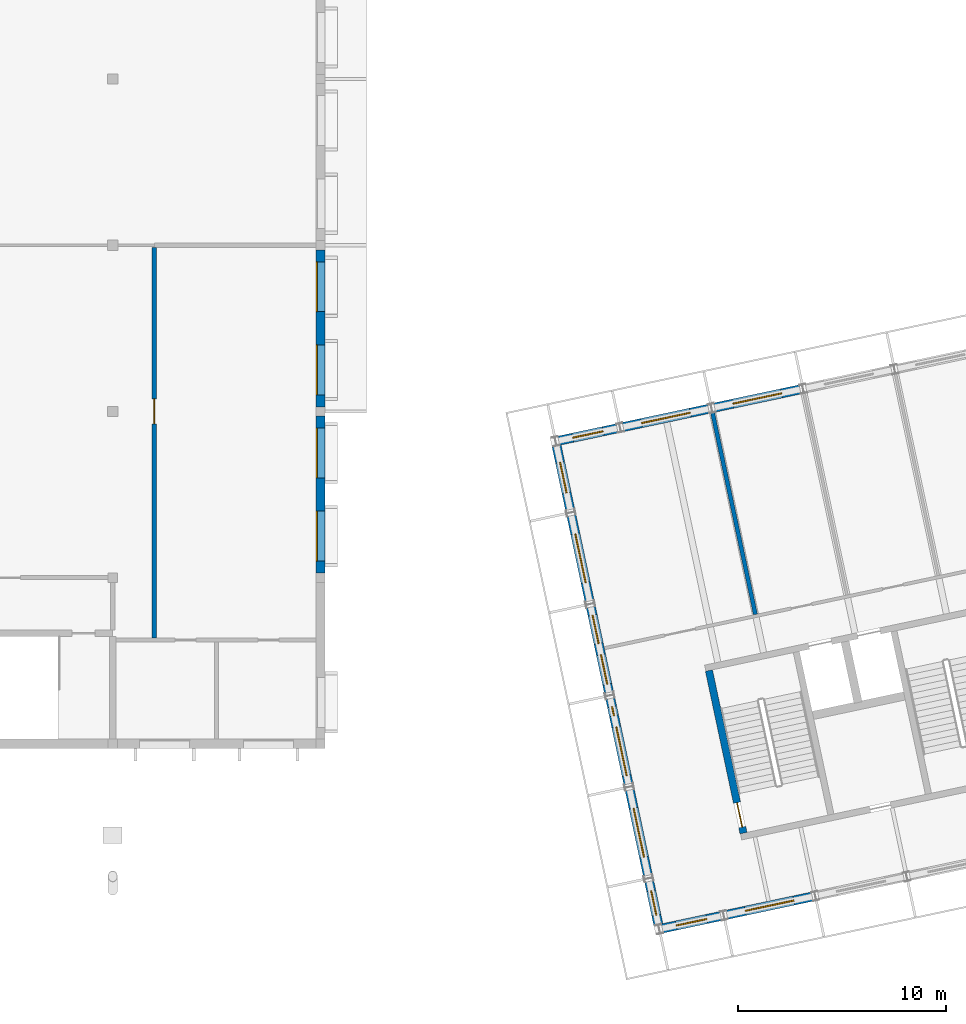
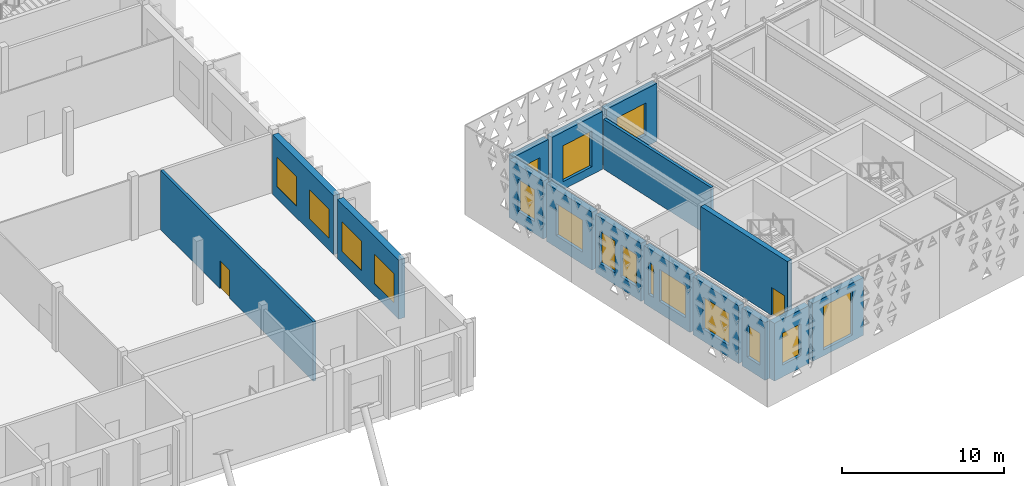
# One storey, part 120 of 182: 17 windows, 16 walls, 2 doors, 19 openings.
"""IFC4 building model written with IfcOpenShell, lengths in metres."""

from ifc_helpers import new_model, si_unit, direction, frame, frame_2d, origin, place, context, subcontext, project, spatial, rectangle, extrude, material, layer, layer_set, type_object, element, fill, save


model = new_model("IFC4")

# Units and contexts
model_context = context("Model", 3, precision=1e-05, world=origin(), true_north=direction((0.0, 1.0)))
body_context = subcontext(model_context, "Body", "Model", "MODEL_VIEW")
ifc_project = project(units=[si_unit("LENGTHUNIT", "METRE"), si_unit("AREAUNIT", "SQUARE_METRE"), si_unit("VOLUMEUNIT", "CUBIC_METRE"), si_unit("PLANEANGLEUNIT", "RADIAN"), si_unit("MASSUNIT", "GRAM", prefix="KILO")], contexts=[model_context])

# Site, building, storey
site_placement = place(None, origin())
site = spatial("IfcSite", under=ifc_project, at=site_placement, CompositionType="ELEMENT")
building_placement = place(site_placement, origin())
building = spatial("IfcBuilding", under=site, at=building_placement, Name="Okhra Congress Centre", CompositionType="ELEMENT")
storey_placement = place(building_placement, frame((0.0, 0.0, 7.199951171875)))
storey = spatial("IfcBuildingStorey", under=building, at=storey_placement, Name="L01", CompositionType="ELEMENT", Elevation=7.199951171875)

# Wall
ifc_material_1 = material(Name="Double gypsum board on steel studs with mineral wool", Category="steel")
ifc_layer_1 = layer(ifc_material_1, 0.199951171875)
ifc_layer_set_1 = layer_set([ifc_layer_1], Name="Acoustic partition 200")
wall_type_1 = type_object("IfcWallType", Name="Acoustic partition 200", PredefinedType="PARTITIONING", material=ifc_layer_set_1)
wall_1_placement = place(storey_placement, frame((64.871337890625, 51.935791015625, 0.0), z_axis=(0.0, 0.0, 1.0), x_axis=(0.20790935802, -0.978148096582, 0.0)))
element("IfcWall", 1, at=wall_1_placement, inside=storey, type_object=wall_type_1, Name="Partition N L01", PredefinedType="PARTITIONING", context=body_context, shape_type="SweptSolid", body=[
    extrude(rectangle(XDim=9.9248046875, YDim=0.199951171875, at=frame_2d((4.96240234375, 0.0))), origin(), (0.0, 0.0, 1.0), 3.75),
])

# Wall, opening, door
ifc_layer_2 = layer(ifc_material_1, 0.199951171875)
ifc_layer_set_2 = layer_set([ifc_layer_2], Name="Acoustic partition 200 EI 15")
wall_type_2 = type_object("IfcWallType", Name="Acoustic partition 200 EI 15", PredefinedType="PARTITIONING", material=ifc_layer_set_2)
wall_2_placement = place(storey_placement, frame((38.0, 41.10009765625, 0.0), z_axis=(0.0, 0.0, 1.0), x_axis=(0.0, 1.0, 0.0)))
wall_2 = element("IfcWall", 2, at=wall_2_placement, inside=storey, type_object=wall_type_2, Name="RS.WALL.L01.62", PredefinedType="PARTITIONING", context=body_context, shape_type="SweptSolid", body=[
    extrude(rectangle(XDim=18.7998046875, YDim=0.199951171875, at=frame_2d((9.39990234375, 0.0))), origin(), (0.0, 0.0, 1.0), 4.449951171875),
])
opening_1_placement = place(wall_2_placement, frame((10.300048828125, 0.0, 0.0)))
opening_1 = element("IfcOpeningElement", 3, at=opening_1_placement, cuts=wall_2, Name="Opening L01-071", PredefinedType="OPENING", context=body_context, shape_type="SweptSolid", body=[
    extrude(rectangle(XDim=1.199951171875, YDim=2.10009765625, at=frame_2d((0.60009765625, 1.050048828125))), frame((0.0, 0.10986328125, 0.0), z_axis=(0.0, -1.0, 0.0), x_axis=(1.0, 0.0, 0.0)), (0.0, 0.0, 1.0), 0.219970703125),
])
ifc_material_2 = material(Name="Timber door leaf in steel frame", Category="steel")
door_type_1 = type_object("IfcDoorType", Name="Single swing door 1200x2100", OperationType="NOTDEFINED", PredefinedType="DOOR", material=ifc_material_2)
door_1_placement = place(opening_1_placement, origin())
door_1 = element("IfcDoor", 4, at=door_1_placement, inside=storey, type_object=door_type_1, Name="Door L01-071", OperationType="SINGLE_SWING_RIGHT", OverallHeight=2.10009765625, OverallWidth=1.199951171875, PredefinedType="DOOR", context=body_context, shape_type="SweptSolid", body=[
    extrude(rectangle(XDim=1.199951171875, YDim=2.10009765625, at=frame_2d((0.60009765625, 1.050048828125))), frame((0.0, 0.02490234375, 0.0), z_axis=(0.0, -1.0, 0.0), x_axis=(1.0, 0.0, 0.0)), (0.0, 0.0, 1.0), 0.050048828125),
])
fill(opening_1, door_1)

# Wall, openings, windows
ifc_material_3 = material(Name="Insulated metal panel on steel stud (mineral wool, vapour barrier)", Category="steel")
ifc_layer_3 = layer(ifc_material_3, 0.449951171875)
ifc_layer_set_3 = layer_set([ifc_layer_3], Name="Insulated wall 450")
wall_type_3 = type_object("IfcWallType", Name="Insulated wall 450", PredefinedType="SOLIDWALL", material=ifc_layer_set_3)
wall_3_placement = place(storey_placement, frame((46.0, 44.22509765625, 0.0), z_axis=(0.0, 0.0, 1.0), x_axis=(0.0, 1.0, 0.0)))
wall_3 = element("IfcWall", 5, at=wall_3_placement, inside=storey, type_object=wall_type_3, Name="RS.WALL.L01.65", PredefinedType="SOLIDWALL", context=body_context, shape_type="SweptSolid", body=[
    extrude(rectangle(XDim=7.5498046875, YDim=0.449951171875, at=frame_2d((3.77490234375, 0.0))), origin(), (0.0, 0.0, 1.0), 4.449951171875),
])
opening_2_placement = place(wall_3_placement, frame((0.574951171875, 0.0, 0.89990234375)))
opening_2 = element("IfcOpeningElement", 6, at=opening_2_placement, cuts=wall_3, Name="Opening WN17", PredefinedType="OPENING", context=body_context, shape_type="SweptSolid", body=[
    extrude(rectangle(XDim=2.39990234375, YDim=2.199951171875, at=frame_2d((1.199951171875, 1.10009765625))), frame((0.0, 0.23486328125, 0.0), z_axis=(0.0, -1.0, 0.0), x_axis=(1.0, 0.0, 0.0)), (0.0, 0.0, 1.0), 0.469970703125),
])
opening_3_placement = place(wall_3_placement, frame((4.574951171875, 0.0, 0.89990234375)))
opening_3 = element("IfcOpeningElement", 7, at=opening_3_placement, cuts=wall_3, Name="Opening WN17", PredefinedType="OPENING", context=body_context, shape_type="SweptSolid", body=[
    extrude(rectangle(XDim=2.39990234375, YDim=2.199951171875, at=frame_2d((1.199951171875, 1.10009765625))), frame((0.0, 0.23486328125, 0.0), z_axis=(0.0, -1.0, 0.0), x_axis=(1.0, 0.0, 0.0)), (0.0, 0.0, 1.0), 0.469970703125),
])
ifc_material_4 = material(Name="Thermally broken aluminium frame, triple glazing", Category="aluminium")
window_type_1 = type_object("IfcWindowType", Name="Tilt-and-turn window 2400x2200", PartitioningType="SINGLE_PANEL", PredefinedType="WINDOW", material=ifc_material_4)
window_1_placement = place(opening_2_placement, origin())
window_1 = element("IfcWindow", 8, at=window_1_placement, inside=storey, type_object=window_type_1, Name="RS.WIN.L01.18", OverallHeight=2.199951171875, OverallWidth=2.39990234375, PartitioningType="SINGLE_PANEL", PredefinedType="WINDOW", context=body_context, shape_type="SweptSolid", body=[
    extrude(rectangle(XDim=2.39990234375, YDim=2.199951171875, at=frame_2d((1.199951171875, 1.10009765625))), frame((0.0, 0.215087890625, 0.0), z_axis=(0.0, -1.0, 0.0), x_axis=(1.0, 0.0, 0.0)), (0.0, 0.0, 1.0), 0.06005859375),
])
fill(opening_2, window_1)
window_2_placement = place(opening_3_placement, origin())
window_2 = element("IfcWindow", 9, at=window_2_placement, inside=storey, type_object=window_type_1, Name="RS.WIN.L01.19", OverallHeight=2.199951171875, OverallWidth=2.39990234375, PartitioningType="SINGLE_PANEL", PredefinedType="WINDOW", context=body_context, shape_type="SweptSolid", body=[
    extrude(rectangle(XDim=2.39990234375, YDim=2.199951171875, at=frame_2d((1.199951171875, 1.10009765625))), frame((0.0, 0.215087890625, 0.0), z_axis=(0.0, -1.0, 0.0), x_axis=(1.0, 0.0, 0.0)), (0.0, 0.0, 1.0), 0.06005859375),
])
fill(opening_3, window_2)

wall_4_placement = place(storey_placement, frame((46.0, 52.22509765625, 0.0), z_axis=(0.0, 0.0, 1.0), x_axis=(0.0, 1.0, 0.0)))
wall_4 = element("IfcWall", 10, at=wall_4_placement, inside=storey, type_object=wall_type_3, Name="RS.WALL.L01.66", PredefinedType="SOLIDWALL", context=body_context, shape_type="SweptSolid", body=[
    extrude(rectangle(XDim=7.5498046875, YDim=0.449951171875, at=frame_2d((3.77490234375, 0.0))), origin(), (0.0, 0.0, 1.0), 4.449951171875),
])
opening_4_placement = place(wall_4_placement, frame((0.574951171875, 0.0, 0.89990234375)))
opening_4 = element("IfcOpeningElement", 11, at=opening_4_placement, cuts=wall_4, Name="Opening WN17", PredefinedType="OPENING", context=body_context, shape_type="SweptSolid", body=[
    extrude(rectangle(XDim=2.39990234375, YDim=2.199951171875, at=frame_2d((1.199951171875, 1.10009765625))), frame((0.0, 0.23486328125, 0.0), z_axis=(0.0, -1.0, 0.0), x_axis=(1.0, 0.0, 0.0)), (0.0, 0.0, 1.0), 0.469970703125),
])
opening_5_placement = place(wall_4_placement, frame((4.574951171875, 0.0, 0.89990234375)))
opening_5 = element("IfcOpeningElement", 12, at=opening_5_placement, cuts=wall_4, Name="Opening WN17", PredefinedType="OPENING", context=body_context, shape_type="SweptSolid", body=[
    extrude(rectangle(XDim=2.39990234375, YDim=2.199951171875, at=frame_2d((1.199951171875, 1.10009765625))), frame((0.0, 0.23486328125, 0.0), z_axis=(0.0, -1.0, 0.0), x_axis=(1.0, 0.0, 0.0)), (0.0, 0.0, 1.0), 0.469970703125),
])
window_3_placement = place(opening_4_placement, origin())
window_3 = element("IfcWindow", 13, at=window_3_placement, inside=storey, type_object=window_type_1, Name="RS.WIN.L01.20", OverallHeight=2.199951171875, OverallWidth=2.39990234375, PartitioningType="SINGLE_PANEL", PredefinedType="WINDOW", context=body_context, shape_type="SweptSolid", body=[
    extrude(rectangle(XDim=2.39990234375, YDim=2.199951171875, at=frame_2d((1.199951171875, 1.10009765625))), frame((0.0, 0.215087890625, 0.0), z_axis=(0.0, -1.0, 0.0), x_axis=(1.0, 0.0, 0.0)), (0.0, 0.0, 1.0), 0.06005859375),
])
fill(opening_4, window_3)
window_4_placement = place(opening_5_placement, origin())
window_4 = element("IfcWindow", 14, at=window_4_placement, inside=storey, type_object=window_type_1, Name="RS.WIN.L01.21", OverallHeight=2.199951171875, OverallWidth=2.39990234375, PartitioningType="SINGLE_PANEL", PredefinedType="WINDOW", context=body_context, shape_type="SweptSolid", body=[
    extrude(rectangle(XDim=2.39990234375, YDim=2.199951171875, at=frame_2d((1.199951171875, 1.10009765625))), frame((0.0, 0.215087890625, 0.0), z_axis=(0.0, -1.0, 0.0), x_axis=(1.0, 0.0, 0.0)), (0.0, 0.0, 1.0), 0.06005859375),
])
fill(opening_5, window_4)

# Wall, opening, window
wall_5_placement = place(storey_placement, frame((62.453857421875, 27.115966796875, 0.0), z_axis=(0.0, 0.0, 1.0), x_axis=(0.978151512004, 0.207893288886, 0.0)))
wall_5 = element("IfcWall", 15, at=wall_5_placement, inside=storey, type_object=wall_type_3, Name="External wall S1 L01", PredefinedType="SOLIDWALL", context=body_context, shape_type="SweptSolid", body=[
    extrude(rectangle(XDim=2.874755859375, YDim=0.449951171875, at=frame_2d((1.4375, 0.0))), origin(), (0.0, 0.0, 1.0), 4.35009765625),
])
opening_6_placement = place(wall_5_placement, frame((0.6875, 0.0, 0.89990234375)))
opening_6 = element("IfcOpeningElement", 16, at=opening_6_placement, cuts=wall_5, Name="Opening WN20", PredefinedType="OPENING", context=body_context, shape_type="SweptSolid", body=[
    extrude(rectangle(XDim=1.5, YDim=2.39990234375, at=frame_2d((0.75, 1.199951171875))), frame((0.0, 0.23486328125, 0.0), z_axis=(0.0, -1.0, 0.0), x_axis=(1.0, 0.0, 0.0)), (0.0, 0.0, 1.0), 0.469970703125),
])
window_type_2 = type_object("IfcWindowType", Name="Fixed window 1500x2400", PartitioningType="SINGLE_PANEL", PredefinedType="WINDOW", material=ifc_material_4)
window_5_placement = place(opening_6_placement, origin())
window_5 = element("IfcWindow", 17, at=window_5_placement, inside=storey, type_object=window_type_2, Name="BX.WIN.L01.1", OverallHeight=2.39990234375, OverallWidth=1.5, PartitioningType="SINGLE_PANEL", PredefinedType="WINDOW", context=body_context, shape_type="SweptSolid", body=[
    extrude(rectangle(XDim=1.5, YDim=2.39990234375, at=frame_2d((0.75, 1.199951171875))), frame((0.0, 0.030029296875, 0.0), z_axis=(0.0, -1.0, 0.0), x_axis=(1.0, 0.0, 0.0)), (0.0, 0.0, 1.0), 0.06005859375),
])
fill(opening_6, window_5)

wall_6_placement = place(storey_placement, frame((65.559326171875, 27.776123046875, 0.0), z_axis=(0.0, 0.0, 1.0), x_axis=(0.978155748334, 0.207873355681, 0.0)))
wall_6 = element("IfcWall", 18, at=wall_6_placement, inside=storey, type_object=wall_type_3, Name="External wall S2 L01", PredefinedType="SOLIDWALL", context=body_context, shape_type="SweptSolid", body=[
    extrude(rectangle(XDim=4.199951171875, YDim=0.449951171875, at=frame_2d((2.10009765625, 0.0))), origin(), (0.0, 0.0, 1.0), 4.35009765625),
])
opening_7_placement = place(wall_6_placement, frame((0.89990234375, 0.0, 0.449951171875)))
opening_7 = element("IfcOpeningElement", 19, at=opening_7_placement, cuts=wall_6, Name="Opening WN21", PredefinedType="OPENING", context=body_context, shape_type="SweptSolid", body=[
    extrude(rectangle(XDim=2.39990234375, YDim=3.300048828125, at=frame_2d((1.199951171875, 1.64990234375))), frame((0.0, 0.23486328125, 0.0), z_axis=(0.0, -1.0, 0.0), x_axis=(1.0, 0.0, 0.0)), (0.0, 0.0, 1.0), 0.469970703125),
])
window_type_3 = type_object("IfcWindowType", Name="Two-light window 2400x3300", PartitioningType="DOUBLE_PANEL_VERTICAL", PredefinedType="WINDOW", material=ifc_material_4)
window_6_placement = place(opening_7_placement, origin())
window_6 = element("IfcWindow", 20, at=window_6_placement, inside=storey, type_object=window_type_3, Name="BX.WIN.L01.2", OverallHeight=3.300048828125, OverallWidth=2.39990234375, PartitioningType="DOUBLE_PANEL_VERTICAL", PredefinedType="WINDOW", context=body_context, shape_type="SweptSolid", body=[
    extrude(rectangle(XDim=2.39990234375, YDim=3.300048828125, at=frame_2d((1.199951171875, 1.64990234375))), frame((0.0, 0.030029296875, 0.0), z_axis=(0.0, -1.0, 0.0), x_axis=(1.0, 0.0, 0.0)), (0.0, 0.0, 1.0), 0.06005859375),
])
fill(opening_7, window_6)

wall_7_placement = place(storey_placement, frame((57.4638671875, 50.591552734375, 0.0), z_axis=(0.0, 0.0, 1.0), x_axis=(0.978155181918, 0.207876020951, 0.0)))
wall_7 = element("IfcWall", 21, at=wall_7_placement, inside=storey, type_object=wall_type_3, Name="External wall N1 L01", PredefinedType="SOLIDWALL", context=body_context, shape_type="SweptSolid", body=[
    extrude(rectangle(XDim=2.875, YDim=0.449951171875, at=frame_2d((1.4375, 0.0))), origin(), (0.0, 0.0, 1.0), 4.35009765625),
])
opening_8_placement = place(wall_7_placement, frame((0.6875, 0.0, 0.89990234375)))
opening_8 = element("IfcOpeningElement", 22, at=opening_8_placement, cuts=wall_7, Name="Opening WN20", PredefinedType="OPENING", context=body_context, shape_type="SweptSolid", body=[
    extrude(rectangle(XDim=1.5, YDim=2.39990234375, at=frame_2d((0.75, 1.199951171875))), frame((0.0, 0.23486328125, 0.0), z_axis=(0.0, -1.0, 0.0), x_axis=(1.0, 0.0, 0.0)), (0.0, 0.0, 1.0), 0.469970703125),
])
window_7_placement = place(opening_8_placement, origin())
window_7 = element("IfcWindow", 23, at=window_7_placement, inside=storey, type_object=window_type_2, Name="BX.WIN.L01.37", OverallHeight=2.39990234375, OverallWidth=1.5, PartitioningType="SINGLE_PANEL", PredefinedType="WINDOW", context=body_context, shape_type="SweptSolid", body=[
    extrude(rectangle(XDim=1.5, YDim=2.39990234375, at=frame_2d((0.75, 1.199951171875))), frame((0.0, 0.030029296875, 0.0), z_axis=(0.0, -1.0, 0.0), x_axis=(1.0, 0.0, 0.0)), (0.0, 0.0, 1.0), 0.06005859375),
])
fill(opening_8, window_7)

wall_8_placement = place(storey_placement, frame((60.569580078125, 51.25146484375, 0.0), z_axis=(0.0, 0.0, 1.0), x_axis=(0.978143927149, 0.207928972925, 0.0)))
wall_8 = element("IfcWall", 24, at=wall_8_placement, inside=storey, type_object=wall_type_3, Name="External wall N2 L01", PredefinedType="SOLIDWALL", context=body_context, shape_type="SweptSolid", body=[
    extrude(rectangle(XDim=4.199951171875, YDim=0.449951171875, at=frame_2d((2.10009765625, 0.0))), origin(), (0.0, 0.0, 1.0), 4.35009765625),
])
opening_9_placement = place(wall_8_placement, frame((0.89990234375, 0.0, 0.60009765625)))
opening_9 = element("IfcOpeningElement", 25, at=opening_9_placement, cuts=wall_8, Name="Opening WN23", PredefinedType="OPENING", context=body_context, shape_type="SweptSolid", body=[
    extrude(rectangle(XDim=2.39990234375, YDim=2.699951171875, at=frame_2d((1.199951171875, 1.35009765625))), frame((0.0, 0.23486328125, 0.0), z_axis=(0.0, -1.0, 0.0), x_axis=(1.0, 0.0, 0.0)), (0.0, 0.0, 1.0), 0.469970703125),
])
window_type_4 = type_object("IfcWindowType", Name="Casement window 2400x2700", PartitioningType="SINGLE_PANEL", PredefinedType="WINDOW", material=ifc_material_4)
window_8_placement = place(opening_9_placement, origin())
window_8 = element("IfcWindow", 26, at=window_8_placement, inside=storey, type_object=window_type_4, Name="BX.WIN.L01.38", OverallHeight=2.699951171875, OverallWidth=2.39990234375, PartitioningType="SINGLE_PANEL", PredefinedType="WINDOW", context=body_context, shape_type="SweptSolid", body=[
    extrude(rectangle(XDim=2.39990234375, YDim=2.699951171875, at=frame_2d((1.199951171875, 1.35009765625))), frame((0.0, 0.030029296875, 0.0), z_axis=(0.0, -1.0, 0.0), x_axis=(1.0, 0.0, 0.0)), (0.0, 0.0, 1.0), 0.06005859375),
])
fill(opening_9, window_8)

wall_9_placement = place(storey_placement, frame((64.97119140625, 52.187255859375, 0.0), z_axis=(0.0, 0.0, 1.0), x_axis=(0.978155748334, 0.207873355681, 0.0)))
wall_9 = element("IfcWall", 27, at=wall_9_placement, inside=storey, type_object=wall_type_3, Name="External wall N3 L01", PredefinedType="SOLIDWALL", context=body_context, shape_type="SweptSolid", body=[
    extrude(rectangle(XDim=4.199951171875, YDim=0.449951171875, at=frame_2d((2.10009765625, 0.0))), origin(), (0.0, 0.0, 1.0), 4.35009765625),
])
opening_10_placement = place(wall_9_placement, frame((0.89990234375, 0.0, 0.89990234375)))
opening_10 = element("IfcOpeningElement", 28, at=opening_10_placement, cuts=wall_9, Name="Opening WN22", PredefinedType="OPENING", context=body_context, shape_type="SweptSolid", body=[
    extrude(rectangle(XDim=2.39990234375, YDim=2.39990234375, at=frame_2d((1.199951171875, 1.199951171875))), frame((0.0, 0.23486328125, 0.0), z_axis=(0.0, -1.0, 0.0), x_axis=(1.0, 0.0, 0.0)), (0.0, 0.0, 1.0), 0.469970703125),
])
window_type_5 = type_object("IfcWindowType", Name="Fixed window 2400x2400", PartitioningType="SINGLE_PANEL", PredefinedType="WINDOW", material=ifc_material_4)
window_9_placement = place(opening_10_placement, origin())
window_9 = element("IfcWindow", 29, at=window_9_placement, inside=storey, type_object=window_type_5, Name="BX.WIN.L01.39", OverallHeight=2.39990234375, OverallWidth=2.39990234375, PartitioningType="SINGLE_PANEL", PredefinedType="WINDOW", context=body_context, shape_type="SweptSolid", body=[
    extrude(rectangle(XDim=2.39990234375, YDim=2.39990234375, at=frame_2d((1.199951171875, 1.199951171875))), frame((0.0, 0.030029296875, 0.0), z_axis=(0.0, -1.0, 0.0), x_axis=(1.0, 0.0, 0.0)), (0.0, 0.0, 1.0), 0.06005859375),
])
fill(opening_10, window_9)

wall_10_placement = place(storey_placement, frame((62.26123046875, 27.2998046875, 0.0), z_axis=(0.0, 0.0, 1.0), x_axis=(-0.207834022607, 0.978164106399, 0.0)))
wall_10 = element("IfcWall", 30, at=wall_10_placement, inside=storey, type_object=wall_type_3, Name="External wall W1 L01", PredefinedType="SOLIDWALL", context=body_context, shape_type="SweptSolid", body=[
    extrude(rectangle(XDim=2.125, YDim=0.449951171875, at=frame_2d((1.0625, 0.0))), origin(), (0.0, 0.0, 1.0), 4.35009765625),
])
opening_11_placement = place(wall_10_placement, frame((0.46240234375, 0.0, 0.89990234375)))
opening_11 = element("IfcOpeningElement", 31, at=opening_11_placement, cuts=wall_10, Name="Opening WN25", PredefinedType="OPENING", context=body_context, shape_type="SweptSolid", body=[
    extrude(rectangle(XDim=1.199951171875, YDim=2.39990234375, at=frame_2d((0.60009765625, 1.199951171875))), frame((0.0, 0.23486328125, 0.0), z_axis=(0.0, -1.0, 0.0), x_axis=(1.0, 0.0, 0.0)), (0.0, 0.0, 1.0), 0.469970703125),
])
window_type_6 = type_object("IfcWindowType", Name="Fixed window 1200x2400", PartitioningType="SINGLE_PANEL", PredefinedType="WINDOW", material=ifc_material_4)
window_10_placement = place(opening_11_placement, origin())
window_10 = element("IfcWindow", 32, at=window_10_placement, inside=storey, type_object=window_type_6, Name="BX.WIN.L01.64", OverallHeight=2.39990234375, OverallWidth=1.199951171875, PartitioningType="SINGLE_PANEL", PredefinedType="WINDOW", context=body_context, shape_type="SweptSolid", body=[
    extrude(rectangle(XDim=1.199951171875, YDim=2.39990234375, at=frame_2d((0.60009765625, 1.199951171875))), frame((0.0, 0.030029296875, 0.0), z_axis=(0.0, -1.0, 0.0), x_axis=(1.0, 0.0, 0.0)), (0.0, 0.0, 1.0), 0.06005859375),
])
fill(opening_11, window_10)

wall_11_placement = place(storey_placement, frame((61.757080078125, 29.671875, 0.0), z_axis=(0.0, 0.0, 1.0), x_axis=(-0.207928972925, 0.978143927149, 0.0)))
wall_11 = element("IfcWall", 33, at=wall_11_placement, inside=storey, type_object=wall_type_3, Name="External wall W2 L01", PredefinedType="SOLIDWALL", context=body_context, shape_type="SweptSolid", body=[
    extrude(rectangle(XDim=4.199951171875, YDim=0.449951171875, at=frame_2d((2.10009765625, 0.0))), origin(), (0.0, 0.0, 1.0), 4.35009765625),
])
opening_12_placement = place(wall_11_placement, frame((0.89990234375, 0.0, 0.89990234375)))
opening_12 = element("IfcOpeningElement", 34, at=opening_12_placement, cuts=wall_11, Name="Opening WN22", PredefinedType="OPENING", context=body_context, shape_type="SweptSolid", body=[
    extrude(rectangle(XDim=2.39990234375, YDim=2.39990234375, at=frame_2d((1.199951171875, 1.199951171875))), frame((0.0, 0.23486328125, 0.0), z_axis=(0.0, -1.0, 0.0), x_axis=(1.0, 0.0, 0.0)), (0.0, 0.0, 1.0), 0.469970703125),
])
window_11_placement = place(opening_12_placement, origin())
window_11 = element("IfcWindow", 35, at=window_11_placement, inside=storey, type_object=window_type_5, Name="BX.WIN.L01.65", OverallHeight=2.39990234375, OverallWidth=2.39990234375, PartitioningType="SINGLE_PANEL", PredefinedType="WINDOW", context=body_context, shape_type="SweptSolid", body=[
    extrude(rectangle(XDim=2.39990234375, YDim=2.39990234375, at=frame_2d((1.199951171875, 1.199951171875))), frame((0.0, 0.030029296875, 0.0), z_axis=(0.0, -1.0, 0.0), x_axis=(1.0, 0.0, 0.0)), (0.0, 0.0, 1.0), 0.06005859375),
])
fill(opening_12, window_11)

# Wall, openings, windows
wall_12_placement = place(storey_placement, frame((60.821533203125, 34.073486328125, 0.0), z_axis=(0.0, 0.0, 1.0), x_axis=(-0.207917150959, 0.978146440129, 0.0)))
wall_12 = element("IfcWall", 36, at=wall_12_placement, inside=storey, type_object=wall_type_3, Name="External wall W3 L01", PredefinedType="SOLIDWALL", context=body_context, shape_type="SweptSolid", body=[
    extrude(rectangle(XDim=4.2001953125, YDim=0.449951171875, at=frame_2d((2.10009765625, 0.0))), origin(), (0.0, 0.0, 1.0), 4.35009765625),
])
opening_13_placement = place(wall_12_placement, frame((0.39990234375, 0.0, 0.89990234375)))
opening_13 = element("IfcOpeningElement", 37, at=opening_13_placement, cuts=wall_12, Name="Opening WN26", PredefinedType="OPENING", context=body_context, shape_type="SweptSolid", body=[
    extrude(rectangle(XDim=2.405029296875, YDim=2.39990234375, at=frame_2d((1.20263671875, 1.199951171875))), frame((0.0, 0.23486328125, 0.0), z_axis=(0.0, -1.0, 0.0), x_axis=(1.0, 0.0, 0.0)), (0.0, 0.0, 1.0), 0.469970703125),
])
opening_14_placement = place(wall_12_placement, frame((3.35498046875, 0.0, 0.89990234375)))
opening_14 = element("IfcOpeningElement", 38, at=opening_14_placement, cuts=wall_12, Name="Opening WN27", PredefinedType="OPENING", context=body_context, shape_type="SweptSolid", body=[
    extrude(rectangle(XDim=0.445068359375, YDim=2.39990234375, at=frame_2d((0.22265625, 1.199951171875))), frame((0.0, 0.23486328125, 0.0), z_axis=(0.0, -1.0, 0.0), x_axis=(1.0, 0.0, 0.0)), (0.0, 0.0, 1.0), 0.469970703125),
])
window_type_7 = type_object("IfcWindowType", Name="Fixed window 2405x2400", PartitioningType="SINGLE_PANEL", PredefinedType="WINDOW", material=ifc_material_4)
window_12_placement = place(opening_13_placement, origin())
window_12 = element("IfcWindow", 39, at=window_12_placement, inside=storey, type_object=window_type_7, Name="BX.WIN.L01.66", OverallHeight=2.39990234375, OverallWidth=2.405029296875, PartitioningType="SINGLE_PANEL", PredefinedType="WINDOW", context=body_context, shape_type="SweptSolid", body=[
    extrude(rectangle(XDim=2.405029296875, YDim=2.39990234375, at=frame_2d((1.20263671875, 1.199951171875))), frame((0.0, 0.030029296875, 0.0), z_axis=(0.0, -1.0, 0.0), x_axis=(1.0, 0.0, 0.0)), (0.0, 0.0, 1.0), 0.06005859375),
])
fill(opening_13, window_12)
window_type_8 = type_object("IfcWindowType", Name="Fixed window 445x2400", PartitioningType="SINGLE_PANEL", PredefinedType="WINDOW", material=ifc_material_4)
window_13_placement = place(opening_14_placement, origin())
window_13 = element("IfcWindow", 40, at=window_13_placement, inside=storey, type_object=window_type_8, Name="BX.WIN.L01.67", OverallHeight=2.39990234375, OverallWidth=0.445068359375, PartitioningType="SINGLE_PANEL", PredefinedType="WINDOW", context=body_context, shape_type="SweptSolid", body=[
    extrude(rectangle(XDim=0.445068359375, YDim=2.39990234375, at=frame_2d((0.22265625, 1.199951171875))), frame((0.0, 0.030029296875, 0.0), z_axis=(0.0, -1.0, 0.0), x_axis=(1.0, 0.0, 0.0)), (0.0, 0.0, 1.0), 0.06005859375),
])
fill(opening_14, window_13)

wall_13_placement = place(storey_placement, frame((59.885986328125, 38.475341796875, 0.0), z_axis=(0.0, 0.0, 1.0), x_axis=(-0.207928972925, 0.978143927149, 0.0)))
wall_13 = element("IfcWall", 41, at=wall_13_placement, inside=storey, type_object=wall_type_3, Name="External wall W4 L01", PredefinedType="SOLIDWALL", context=body_context, shape_type="SweptSolid", body=[
    extrude(rectangle(XDim=4.199951171875, YDim=0.449951171875, at=frame_2d((2.10009765625, 0.0))), origin(), (0.0, 0.0, 1.0), 4.35009765625),
])
opening_15_placement = place(wall_13_placement, frame((0.39990234375, 0.0, 0.89990234375)))
opening_15 = element("IfcOpeningElement", 42, at=opening_15_placement, cuts=wall_13, Name="Opening WN28", PredefinedType="OPENING", context=body_context, shape_type="SweptSolid", body=[
    extrude(rectangle(XDim=1.455078125, YDim=2.39990234375, at=frame_2d((0.7275390625, 1.199951171875))), frame((0.0, 0.23486328125, 0.0), z_axis=(0.0, -1.0, 0.0), x_axis=(1.0, 0.0, 0.0)), (0.0, 0.0, 1.0), 0.469970703125),
])
opening_16_placement = place(wall_13_placement, frame((2.405029296875, 0.0, 0.89990234375)))
opening_16 = element("IfcOpeningElement", 43, at=opening_16_placement, cuts=wall_13, Name="Opening WN29", PredefinedType="OPENING", context=body_context, shape_type="SweptSolid", body=[
    extrude(rectangle(XDim=1.39501953125, YDim=2.39990234375, at=frame_2d((0.697509765625, 1.199951171875))), frame((0.0, 0.23486328125, 0.0), z_axis=(0.0, -1.0, 0.0), x_axis=(1.0, 0.0, 0.0)), (0.0, 0.0, 1.0), 0.469970703125),
])
window_type_9 = type_object("IfcWindowType", Name="Fixed window 1395x2400", PartitioningType="SINGLE_PANEL", PredefinedType="WINDOW", material=ifc_material_4)
window_14_placement = place(opening_16_placement, origin())
window_14 = element("IfcWindow", 44, at=window_14_placement, inside=storey, type_object=window_type_9, Name="BX.WIN.L01.69", OverallHeight=2.39990234375, OverallWidth=1.39501953125, PartitioningType="SINGLE_PANEL", PredefinedType="WINDOW", context=body_context, shape_type="SweptSolid", body=[
    extrude(rectangle(XDim=1.39501953125, YDim=2.39990234375, at=frame_2d((0.697509765625, 1.199951171875))), frame((0.0, 0.030029296875, 0.0), z_axis=(0.0, -1.0, 0.0), x_axis=(1.0, 0.0, 0.0)), (0.0, 0.0, 1.0), 0.06005859375),
])
fill(opening_16, window_14)
window_type_10 = type_object("IfcWindowType", Name="Fixed window 1455x2400", PartitioningType="SINGLE_PANEL", PredefinedType="WINDOW", material=ifc_material_4)
window_15_placement = place(opening_15_placement, origin())
window_15 = element("IfcWindow", 45, at=window_15_placement, inside=storey, type_object=window_type_10, Name="BX.WIN.L01.68", OverallHeight=2.39990234375, OverallWidth=1.455078125, PartitioningType="SINGLE_PANEL", PredefinedType="WINDOW", context=body_context, shape_type="SweptSolid", body=[
    extrude(rectangle(XDim=1.455078125, YDim=2.39990234375, at=frame_2d((0.7275390625, 1.199951171875))), frame((0.0, 0.030029296875, 0.0), z_axis=(0.0, -1.0, 0.0), x_axis=(1.0, 0.0, 0.0)), (0.0, 0.0, 1.0), 0.06005859375),
])
fill(opening_15, window_15)

# Wall, opening, window
wall_14_placement = place(storey_placement, frame((58.9501953125, 42.876953125, 0.0), z_axis=(0.0, 0.0, 1.0), x_axis=(-0.207873355681, 0.978155748334, 0.0)))
wall_14 = element("IfcWall", 46, at=wall_14_placement, inside=storey, type_object=wall_type_3, Name="External wall W5 L01", PredefinedType="SOLIDWALL", context=body_context, shape_type="SweptSolid", body=[
    extrude(rectangle(XDim=4.199951171875, YDim=0.449951171875, at=frame_2d((2.10009765625, 0.0))), origin(), (0.0, 0.0, 1.0), 4.35009765625),
])
opening_17_placement = place(wall_14_placement, frame((0.89990234375, 0.0, 0.89990234375)))
opening_17 = element("IfcOpeningElement", 47, at=opening_17_placement, cuts=wall_14, Name="Opening WN22", PredefinedType="OPENING", context=body_context, shape_type="SweptSolid", body=[
    extrude(rectangle(XDim=2.39990234375, YDim=2.39990234375, at=frame_2d((1.199951171875, 1.199951171875))), frame((0.0, 0.23486328125, 0.0), z_axis=(0.0, -1.0, 0.0), x_axis=(1.0, 0.0, 0.0)), (0.0, 0.0, 1.0), 0.469970703125),
])
window_16_placement = place(opening_17_placement, origin())
window_16 = element("IfcWindow", 48, at=window_16_placement, inside=storey, type_object=window_type_5, Name="BX.WIN.L01.70", OverallHeight=2.39990234375, OverallWidth=2.39990234375, PartitioningType="SINGLE_PANEL", PredefinedType="WINDOW", context=body_context, shape_type="SweptSolid", body=[
    extrude(rectangle(XDim=2.39990234375, YDim=2.39990234375, at=frame_2d((1.199951171875, 1.199951171875))), frame((0.0, 0.030029296875, 0.0), z_axis=(0.0, -1.0, 0.0), x_axis=(1.0, 0.0, 0.0)), (0.0, 0.0, 1.0), 0.06005859375),
])
fill(opening_17, window_16)

wall_15_placement = place(storey_placement, frame((58.0146484375, 47.278564453125, 0.0), z_axis=(0.0, 0.0, 1.0), x_axis=(-0.207933268122, 0.978143014087, 0.0)))
wall_15 = element("IfcWall", 49, at=wall_15_placement, inside=storey, type_object=wall_type_3, Name="External wall W6 L01", PredefinedType="SOLIDWALL", context=body_context, shape_type="SweptSolid", body=[
    extrude(rectangle(XDim=3.135009765625, YDim=0.449951171875, at=frame_2d((1.5673828125, 0.0))), origin(), (0.0, 0.0, 1.0), 4.35009765625),
])
opening_18_placement = place(wall_15_placement, frame((0.8173828125, 0.0, 0.89990234375)))
opening_18 = element("IfcOpeningElement", 50, at=opening_18_placement, cuts=wall_15, Name="Opening WN20", PredefinedType="OPENING", context=body_context, shape_type="SweptSolid", body=[
    extrude(rectangle(XDim=1.5, YDim=2.39990234375, at=frame_2d((0.75, 1.199951171875))), frame((0.0, 0.23486328125, 0.0), z_axis=(0.0, -1.0, 0.0), x_axis=(1.0, 0.0, 0.0)), (0.0, 0.0, 1.0), 0.469970703125),
])
window_17_placement = place(opening_18_placement, origin())
window_17 = element("IfcWindow", 51, at=window_17_placement, inside=storey, type_object=window_type_2, Name="BX.WIN.L01.71", OverallHeight=2.39990234375, OverallWidth=1.5, PartitioningType="SINGLE_PANEL", PredefinedType="WINDOW", context=body_context, shape_type="SweptSolid", body=[
    extrude(rectangle(XDim=1.5, YDim=2.39990234375, at=frame_2d((0.75, 1.199951171875))), frame((0.0, 0.030029296875, 0.0), z_axis=(0.0, -1.0, 0.0), x_axis=(1.0, 0.0, 0.0)), (0.0, 0.0, 1.0), 0.06005859375),
])
fill(opening_18, window_17)

# Wall, opening, door
ifc_material_5 = material(Name="Concrete C30/37", Category="concrete")
ifc_layer_4 = layer(ifc_material_5, 0.35009765625)
ifc_layer_set_4 = layer_set([ifc_layer_4], Name="RC wall 350 REI 120 C30/37")
wall_type_4 = type_object("IfcWallType", Name="RC wall 350 REI 120 C30/37", PredefinedType="SOLIDWALL", material=ifc_layer_set_4)
wall_16_placement = place(storey_placement, frame((66.3603515625, 31.703369140625, 0.0), z_axis=(0.0, 0.0, 1.0), x_axis=(-0.207915693476, 0.978146749934, 0.0)))
wall_16 = element("IfcWall", 52, at=wall_16_placement, inside=storey, type_object=wall_type_4, Name="BX.WALL.L01.K1W", PredefinedType="SOLIDWALL", context=body_context, shape_type="SweptSolid", body=[
    extrude(rectangle(XDim=8.0, YDim=0.35009765625, at=frame_2d((4.0, 0.0))), origin(), (0.0, 0.0, 1.0), 4.800048828125),
])
opening_19_placement = place(wall_16_placement, frame((0.300048828125, 0.0, 0.0)))
opening_19 = element("IfcOpeningElement", 53, at=opening_19_placement, cuts=wall_16, Name="Opening L01-099", PredefinedType="OPENING", context=body_context, shape_type="SweptSolid", body=[
    extrude(rectangle(XDim=1.199951171875, YDim=2.10009765625, at=frame_2d((0.60009765625, 1.050048828125))), frame((0.0, 0.18505859375, 0.0), z_axis=(0.0, -1.0, 0.0), x_axis=(1.0, 0.0, 0.0)), (0.0, 0.0, 1.0), 0.3701171875),
])
ifc_material_6 = material(Name="Steel fire door leaf in steel frame, intumescent seals", Category="steel")
door_type_2 = type_object("IfcDoorType", Name="Steel fire door 1200x2100 EI 30", OperationType="NOTDEFINED", PredefinedType="DOOR", material=ifc_material_6)
door_2_placement = place(opening_19_placement, origin())
door_2 = element("IfcDoor", 54, at=door_2_placement, inside=storey, type_object=door_type_2, Name="Door L01-099", OperationType="SINGLE_SWING_LEFT", OverallHeight=2.10009765625, OverallWidth=1.199951171875, PredefinedType="DOOR", context=body_context, shape_type="SweptSolid", body=[
    extrude(rectangle(XDim=1.199951171875, YDim=2.10009765625, at=frame_2d((0.60009765625, 1.050048828125))), frame((0.0, 0.02490234375, 0.0), z_axis=(0.0, -1.0, 0.0), x_axis=(1.0, 0.0, 0.0)), (0.0, 0.0, 1.0), 0.050048828125),
])
fill(opening_19, door_2)

save(model, "model.ifc")
